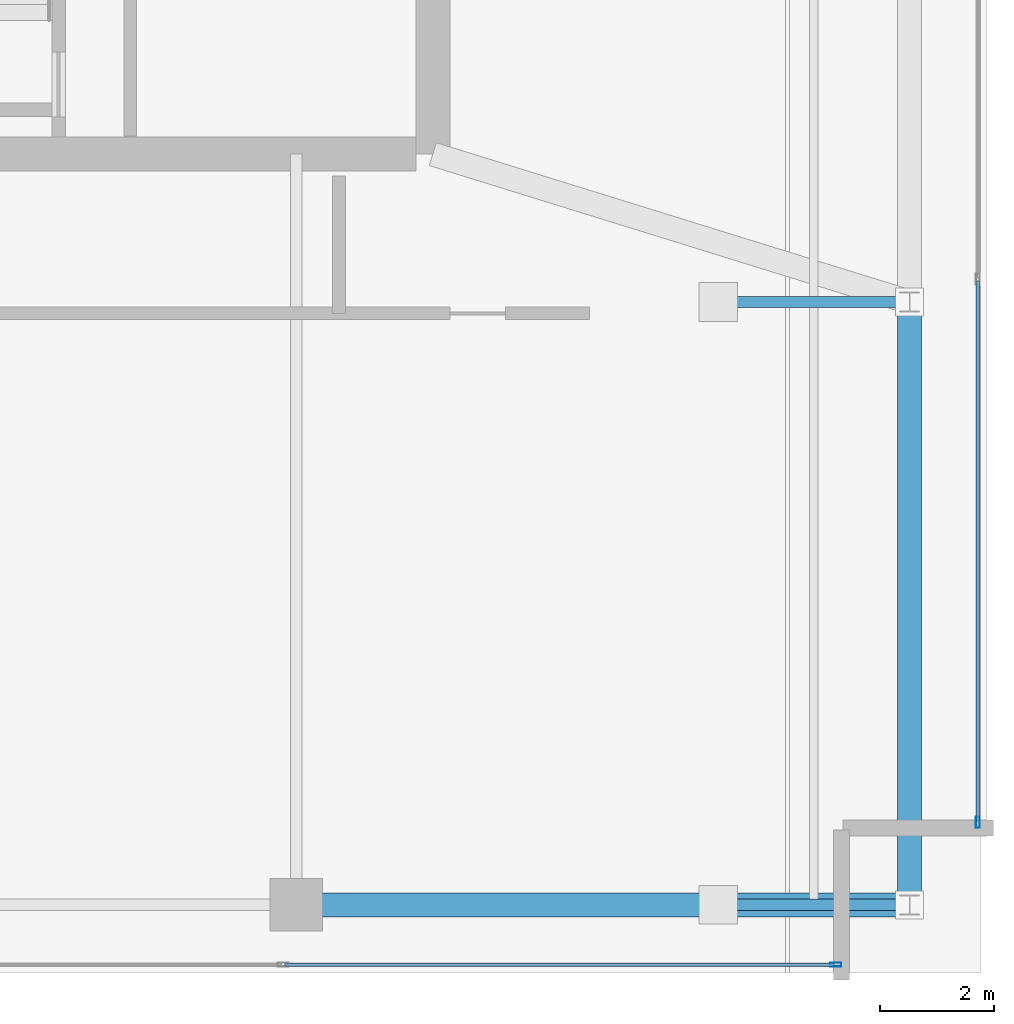
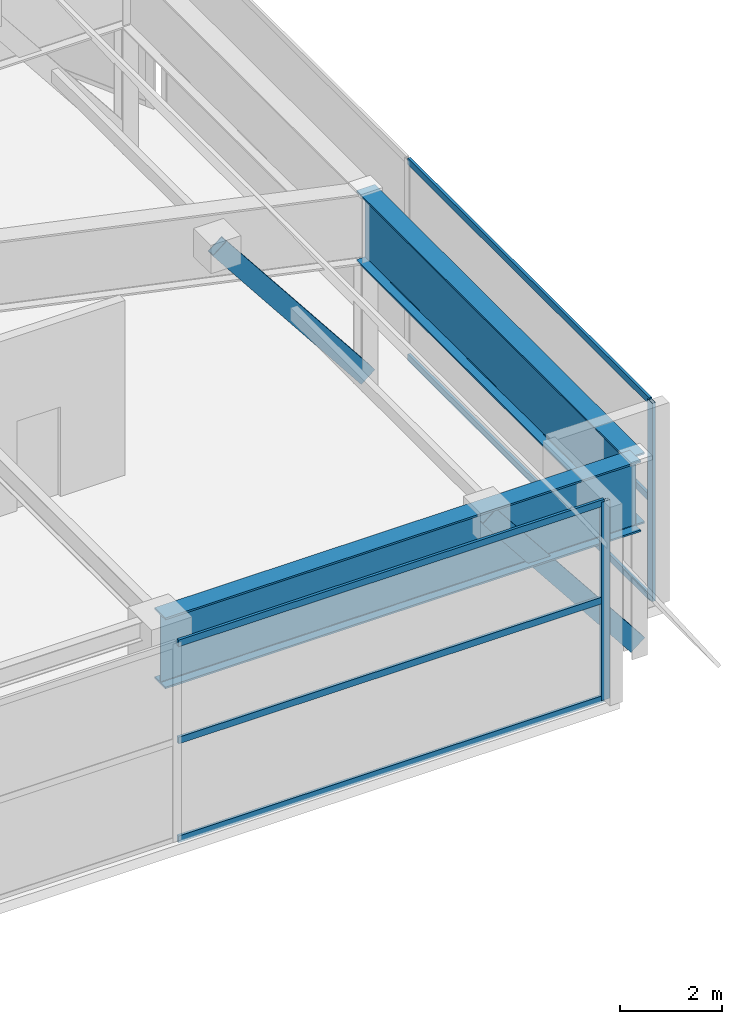
# One storey, part 6 of 20: 8 members, 4 beams, 2 elements without a shape of their own.
"""IFC4 building model written with IfcOpenShell, lengths in metres."""

from ifc_helpers import new_model, si_unit, direction, frame, origin, origin_2d, place, context, subcontext, project, spatial, hollow_rectangle, i_section, extrude, material, layer, layer_set, material_profile, profile_set, type_object, element, aggregate, save


model = new_model("IFC4")

# Units and contexts
model_context = context("Model", 3, precision=1e-05, world=origin(), true_north=direction((0.0, 1.0)))
body_context = subcontext(model_context, "Body", "Model", "MODEL_VIEW")
ifc_project = project(units=[si_unit("LENGTHUNIT", "METRE"), si_unit("AREAUNIT", "SQUARE_METRE"), si_unit("VOLUMEUNIT", "CUBIC_METRE"), si_unit("PLANEANGLEUNIT", "RADIAN"), si_unit("MASSUNIT", "GRAM", prefix="KILO")], contexts=[model_context])

# Site, building, storey
site_placement = place(None, origin())
site = spatial("IfcSite", under=ifc_project, at=site_placement, CompositionType="ELEMENT")
building_placement = place(site_placement, origin())
building = spatial("IfcBuilding", under=site, at=building_placement, Name="Calvorn Quay Hotel", CompositionType="ELEMENT")
storey_placement = place(building_placement, frame((0.0, 0.0, 335.5)))
storey = spatial("IfcBuildingStorey", under=building, at=storey_placement, Name="L82", CompositionType="ELEMENT", Elevation=335.5)

# Beams
ifc_material_1 = material(Name="Steel Q355B", Category="steel")
ifc_material_profile_1 = material_profile(ifc_material_1, hollow_rectangle(XDim=0.199951171875, YDim=0.39990234375, WallThickness=0.013916015625, at=origin_2d()), Name="RHS400x200x14")
ifc_profile_set_1 = profile_set([ifc_material_profile_1], Name="Steel Q355B")
beam_type_1 = type_object("IfcBeamType", Name="BM-CRN-RAFTER", PredefinedType="BEAM", material=ifc_profile_set_1)
for number, where, z_axis, x_axis, name in (
    (1, (23.383056640625, 3.60009765625, 0.25), (-0.619962077242, 0.0, 0.784631775281), (0.0, -1.0, 0.0), "Crown Raking Rafter L82-1"),
    (2, (23.383056640625, 14.199951171875, 0.25), (-0.619962077242, 0.0, 0.784631775281), (0.0, -1.0, 0.0), "Crown Raking Rafter L82-2"),
):
    element("IfcBeam", number, at=place(storey_placement, frame(where, z_axis=z_axis, x_axis=x_axis)), inside=storey, type_object=beam_type_1, Name=name, PredefinedType="BEAM", context=body_context, shape_type="SweptSolid", body=[
        extrude(hollow_rectangle(XDim=0.199951171875, YDim=0.39990234375, WallThickness=0.013916015625, at=origin_2d()), origin(), (0.0, 0.0, 1.0), 5.42919921875),
    ])
ifc_material_2 = material(Name="Steel Q420GJC", Category="steel")
ifc_material_profile_2 = material_profile(ifc_material_2, i_section(OverallWidth=0.419921875, OverallDepth=1.699951171875, WebThickness=0.02392578125, FlangeThickness=0.0419921875, FilletRadius=0.02392578125, at=origin_2d()), Name="HN1700x420x24x42")
ifc_profile_set_2 = profile_set([ifc_material_profile_2], Name="Steel Q420GJC")
beam_type_2 = type_object("IfcBeamType", Name="BM-XFER-SAWTOOTH", PredefinedType="BEAM", material=ifc_profile_set_2)
beam_1_placement = place(storey_placement, frame((12.60009765625, 3.60009765625, 3.889892578125), z_axis=(1.0, 0.0, 0.0), x_axis=(0.0, 1.0, 0.0)))
element("IfcBeam", 3, at=beam_1_placement, inside=storey, type_object=beam_type_2, Name="Beam BTG-L82-C-CR1", PredefinedType="BEAM", context=body_context, shape_type="SweptSolid", body=[
    extrude(i_section(OverallWidth=0.419921875, OverallDepth=1.699951171875, WebThickness=0.02392578125, FlangeThickness=0.0419921875, FilletRadius=0.02392578125, at=origin_2d()), origin(), (0.0, 0.0, 1.0), 10.782958984375),
])
beam_2_placement = place(storey_placement, frame((23.383056640625, 3.60009765625, 3.889892578125), z_axis=(0.0, 1.0, 0.0), x_axis=(-1.0, 0.0, 0.0)))
element("IfcBeam", 4, at=beam_2_placement, inside=storey, type_object=beam_type_2, Name="Beam BTG-L82-CE1", PredefinedType="BEAM", context=body_context, shape_type="SweptSolid", body=[
    extrude(i_section(OverallWidth=0.419921875, OverallDepth=1.699951171875, WebThickness=0.02392578125, FlangeThickness=0.0419921875, FilletRadius=0.02392578125, at=origin_2d()), origin(), (0.0, 0.0, 1.0), 10.599853515625),
])

# Curtain wall, member
ifc_material_3 = material(Name="Pale Anodised Aluminium and Laminated Glass", Category="aluminium")
ifc_layer = layer(ifc_material_3, 0.219970703125)
ifc_layer_set = layer_set([ifc_layer], Name="CW-SYS-CRN")
curtain_wall_type = type_object("IfcCurtainWallType", Name="CW-SYS-CRN", PredefinedType="NOTDEFINED", material=ifc_layer_set)
curtain_wall_1_placement = place(storey_placement, origin())
curtain_wall_1 = element("IfcCurtainWall", 5, at=curtain_wall_1_placement, inside=storey, type_object=curtain_wall_type, Name="Crown Curtain Wall L82-C1", PredefinedType="NOTDEFINED")
ifc_material_4 = material(Name="Pale Anodised Aluminium 6063-T6", Category="aluminium")
ifc_material_profile_3 = material_profile(ifc_material_4, hollow_rectangle(XDim=0.072021484375, YDim=0.195068359375, WallThickness=0.00390625, at=origin_2d()), Name="ALU-M195x72x4")
ifc_profile_set_3 = profile_set([ifc_material_profile_3], Name="Pale Anodised Aluminium 6063-T6")
member_type_1 = type_object("IfcMemberType", Name="CW-SYS-CRN-MUL", PredefinedType="MULLION", material=ifc_profile_set_3)
member_1_placement = place(storey_placement, frame((22.0830078125, 2.550048828125, 0.0), z_axis=(0.0, 0.0, 1.0), x_axis=(0.0, 1.0, 0.0)))
member_1 = element("IfcMember", 6, at=member_1_placement, type_object=member_type_1, Name="CW-L82-C1 mullion 3", PredefinedType="MULLION", context=body_context, shape_type="SweptSolid", body=[
    extrude(hollow_rectangle(XDim=0.072021484375, YDim=0.195068359375, WallThickness=0.00390625, at=origin_2d()), origin(), (0.0, 0.0, 1.0), 4.760009765625),
])

curtain_wall_2_placement = place(storey_placement, origin())
curtain_wall_2 = element("IfcCurtainWall", 7, at=curtain_wall_2_placement, inside=storey, type_object=curtain_wall_type, Name="Crown Curtain Wall L82-C2", PredefinedType="NOTDEFINED")
member_2_placement = place(storey_placement, frame((24.5830078125, 5.050048828125, 0.0), z_axis=(0.0, 0.0, 1.0), x_axis=(-1.0, 0.0, 0.0)))
member_2 = element("IfcMember", 8, at=member_2_placement, type_object=member_type_1, Name="CW-L82-C2 mullion 1", PredefinedType="MULLION", context=body_context, shape_type="SweptSolid", body=[
    extrude(hollow_rectangle(XDim=0.072021484375, YDim=0.195068359375, WallThickness=0.00390625, at=origin_2d()), origin(), (0.0, 0.0, 1.0), 4.760009765625),
])

# Member
ifc_material_5 = material(Name="Pale Anodised Aluminium 6063-T6", Category="aluminium")
ifc_material_profile_4 = material_profile(ifc_material_5, hollow_rectangle(XDim=0.06201171875, YDim=0.159912109375, WallThickness=0.00341796875, at=origin_2d()), Name="ALU-T160x62x3.5")
ifc_profile_set_4 = profile_set([ifc_material_profile_4], Name="Pale Anodised Aluminium 6063-T6")
member_type_2 = type_object("IfcMemberType", Name="CW-SYS-CRN-TRN", PredefinedType="USERDEFINED", material=ifc_profile_set_4)
member_3_placement = place(storey_placement, frame((12.396484375, 2.550048828125, 0.030029296875), z_axis=(1.0, 0.0, 0.0), x_axis=(0.0, 1.0, 0.0)))
member_3 = element("IfcMember", 9, at=member_3_placement, type_object=member_type_2, Name="CW-L82-C1 transom 2.1", ObjectType="TRANSOM", PredefinedType="USERDEFINED", context=body_context, shape_type="SweptSolid", body=[
    extrude(hollow_rectangle(XDim=0.06201171875, YDim=0.159912109375, WallThickness=0.00341796875, at=origin_2d()), origin(), (0.0, 0.0, 1.0), 9.656494140625),
])

member_4_placement = place(storey_placement, frame((12.396484375, 2.550048828125, 2.39990234375), z_axis=(1.0, 0.0, 0.0), x_axis=(0.0, 1.0, 0.0)))
member_4 = element("IfcMember", 10, at=member_4_placement, type_object=member_type_2, Name="CW-L82-C1 transom 2.2", ObjectType="TRANSOM", PredefinedType="USERDEFINED", context=body_context, shape_type="SweptSolid", body=[
    extrude(hollow_rectangle(XDim=0.06201171875, YDim=0.159912109375, WallThickness=0.00341796875, at=origin_2d()), origin(), (0.0, 0.0, 1.0), 9.656494140625),
])

member_5_placement = place(storey_placement, frame((12.396484375, 2.550048828125, 4.72998046875), z_axis=(1.0, 0.0, 0.0), x_axis=(0.0, 1.0, 0.0)))
member_5 = element("IfcMember", 11, at=member_5_placement, type_object=member_type_2, Name="CW-L82-C1 transom 2.3", ObjectType="TRANSOM", PredefinedType="USERDEFINED", context=body_context, shape_type="SweptSolid", body=[
    extrude(hollow_rectangle(XDim=0.06201171875, YDim=0.159912109375, WallThickness=0.00341796875, at=origin_2d()), origin(), (0.0, 0.0, 1.0), 9.656494140625),
])

aggregate(curtain_wall_1, [member_1, member_3, member_4, member_5])

member_6_placement = place(storey_placement, frame((24.5830078125, 5.080078125, 0.030029296875), z_axis=(0.0, 1.0, 0.0), x_axis=(-1.0, 0.0, 0.0)))
member_6 = element("IfcMember", 12, at=member_6_placement, type_object=member_type_2, Name="CW-L82-C2 transom 1.1", ObjectType="TRANSOM", PredefinedType="USERDEFINED", context=body_context, shape_type="SweptSolid", body=[
    extrude(hollow_rectangle(XDim=0.06201171875, YDim=0.159912109375, WallThickness=0.00341796875, at=origin_2d()), origin(), (0.0, 0.0, 1.0), 9.489990234375),
])

member_7_placement = place(storey_placement, frame((24.5830078125, 5.080078125, 2.39990234375), z_axis=(0.0, 1.0, 0.0), x_axis=(-1.0, 0.0, 0.0)))
member_7 = element("IfcMember", 13, at=member_7_placement, type_object=member_type_2, Name="CW-L82-C2 transom 1.2", ObjectType="TRANSOM", PredefinedType="USERDEFINED", context=body_context, shape_type="SweptSolid", body=[
    extrude(hollow_rectangle(XDim=0.06201171875, YDim=0.159912109375, WallThickness=0.00341796875, at=origin_2d()), origin(), (0.0, 0.0, 1.0), 9.489990234375),
])

member_8_placement = place(storey_placement, frame((24.5830078125, 5.080078125, 4.72998046875), z_axis=(0.0, 1.0, 0.0), x_axis=(-1.0, 0.0, 0.0)))
member_8 = element("IfcMember", 14, at=member_8_placement, type_object=member_type_2, Name="CW-L82-C2 transom 1.3", ObjectType="TRANSOM", PredefinedType="USERDEFINED", context=body_context, shape_type="SweptSolid", body=[
    extrude(hollow_rectangle(XDim=0.06201171875, YDim=0.159912109375, WallThickness=0.00341796875, at=origin_2d()), origin(), (0.0, 0.0, 1.0), 9.489990234375),
])

aggregate(curtain_wall_2, [member_2, member_6, member_7, member_8])

save(model, "model.ifc")
